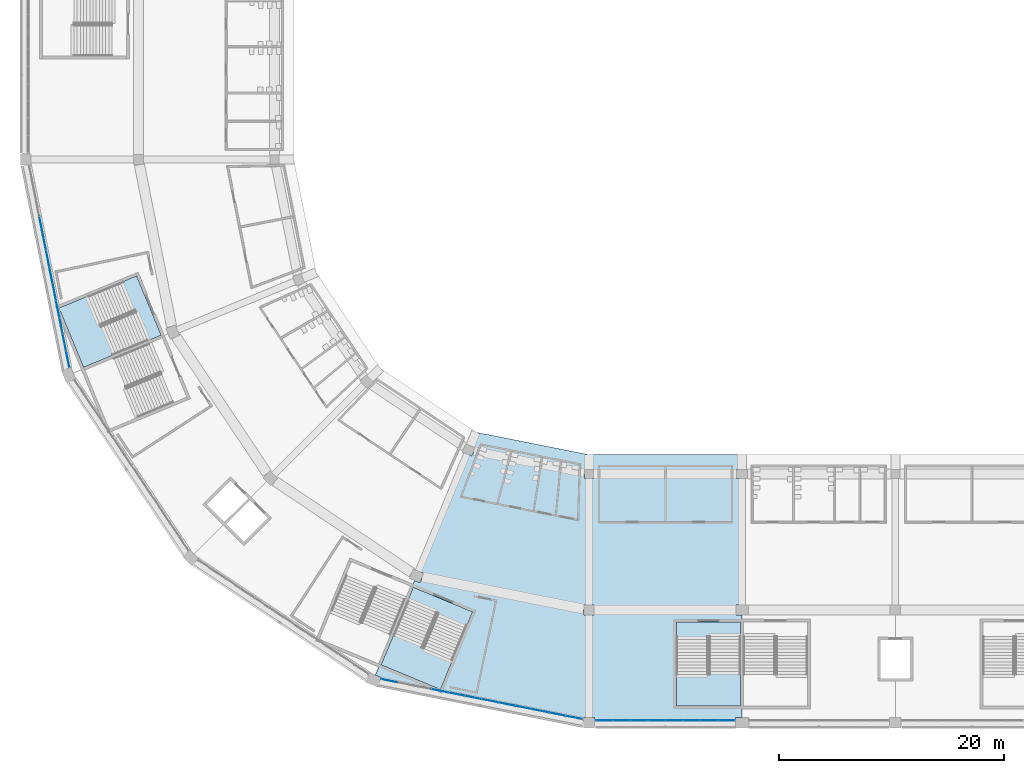
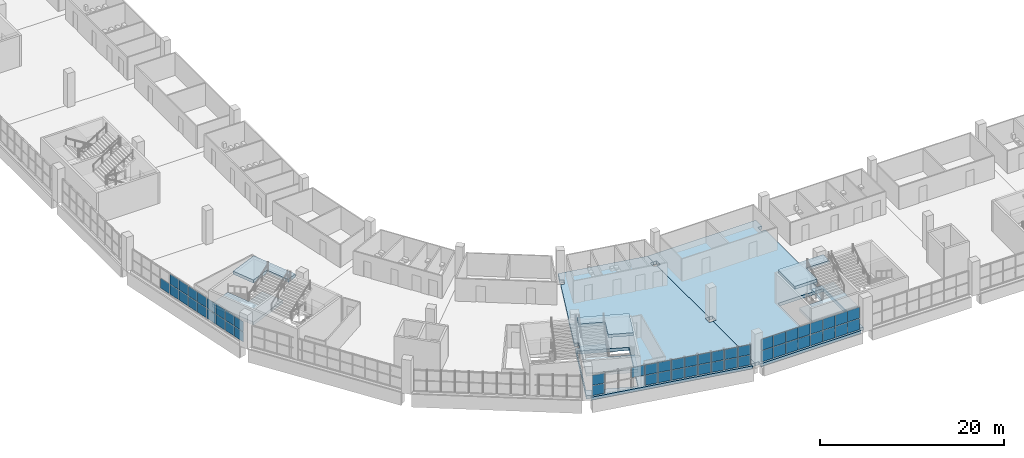
# One storey, part 57 of 199: 52 plates, 8 slabs, 6 elements without a shape of their own.
"""IFC4 building model written with IfcOpenShell, lengths in metres."""

import ifcopenshell
import ifcopenshell.guid

model = None  # the IFC model being written
_history = None  # IfcOwnerHistory: only IFC2X3 demands one
_inside = {}  # id of a spatial element -> (the spatial element, [elements in it])
_under = {}  # id of a project, library or spatial element -> (it, [spatial elements below it])
_declared = {}  # id of a project -> (the project, [libraries it declares])
_typed = {}  # id of a type object -> (the type object, [elements of that type])
_made_of = {}  # id of a material, layer set ... -> (it, [elements and type objects made of it])


def new_model(schema):
    """Start an empty IFC model of exactly this schema.

    Asked for "IFC4X3", IfcOpenShell would pick the latest addendum, in which some entities
    have other attributes; the version numbers below select the first issue.
    IFC2X3 requires an IfcOwnerHistory on every rooted entity: one is made here for all.
    """
    global model, _history
    if schema == "IFC4X3":
        model = ifcopenshell.file(schema_version=(4, 3, 0, 0))
    else:
        model = ifcopenshell.file(schema=schema)
    _inside.clear()
    _under.clear()
    _declared.clear()
    _typed.clear()
    _made_of.clear()
    _history = None
    if model.schema == "IFC2X3":
        org = make("IfcOrganization", Name="unknown")
        user = make(
            "IfcPersonAndOrganization",
            ThePerson=make("IfcPerson", FamilyName="unknown"),
            TheOrganization=org,
        )
        app = make(
            "IfcApplication",
            ApplicationDeveloper=org,
            Version="unknown",
            ApplicationFullName="unknown",
            ApplicationIdentifier="unknown",
        )
        _history = make(
            "IfcOwnerHistory",
            OwningUser=user,
            OwningApplication=app,
            ChangeAction="ADDED",
            CreationDate=0,
        )
    return model


def make(cls, **values):
    """One entity of the class cls with the attributes given. An attribute that is None is left unset."""
    return model.create_entity(
        cls, **{name: value for name, value in values.items() if value is not None}
    )


def rooted(cls, **values):
    """An entity with a GlobalId (a new one), such as an element, a storey or a relation."""
    return make(cls, GlobalId=ifcopenshell.guid.new(), OwnerHistory=_history, **values)


def si_unit(unit_type, name, prefix=None):
    """IfcSIUnit, for example si_unit("LENGTHUNIT", "METRE", prefix="MILLI")."""
    return make("IfcSIUnit", UnitType=unit_type, Prefix=prefix, Name=name)


def assignment(units):
    """IfcUnitAssignment: the units of a project."""
    return None if units is None else make("IfcUnitAssignment", Units=units)


def point(xyz):
    """IfcCartesianPoint."""
    return None if xyz is None else make("IfcCartesianPoint", Coordinates=xyz)


def direction(xyz):
    """IfcDirection."""
    return None if xyz is None else make("IfcDirection", DirectionRatios=xyz)


def frame(location, z_axis=None, x_axis=None):
    """IfcAxis2Placement3D, a coordinate frame: its origin and axes. An axis left out is left unset."""
    return make(
        "IfcAxis2Placement3D",
        Location=point(location),
        Axis=direction(z_axis),
        RefDirection=direction(x_axis),
    )


def frame_2d(location, x_axis=None):
    """IfcAxis2Placement2D, a coordinate frame in the plane: its origin and x axis."""
    return make(
        "IfcAxis2Placement2D", Location=point(location), RefDirection=direction(x_axis)
    )


def origin():
    """The frame at (0, 0, 0) with its axes left unset."""
    return frame((0.0, 0.0, 0.0))


def origin_2d():
    """The frame at (0, 0) in the plane with its x axis left unset."""
    return frame_2d((0.0, 0.0))


def place(relative_to, where):
    """IfcLocalPlacement: puts the frame where relative to a parent placement (None: the world)."""
    return make(
        "IfcLocalPlacement", PlacementRelTo=relative_to, RelativePlacement=where
    )


def context(
    kind, dimensions, precision=None, world=None, true_north=None, identifier=None
):
    """IfcGeometricRepresentationContext, for example the 3D "Model" context."""
    return make(
        "IfcGeometricRepresentationContext",
        ContextIdentifier=identifier,
        ContextType=kind,
        CoordinateSpaceDimension=dimensions,
        Precision=precision,
        WorldCoordinateSystem=world,
        TrueNorth=true_north,
    )


def subcontext(parent, identifier, kind, view, scale=None):
    """IfcGeometricRepresentationSubContext, for example "Body" below "Model"."""
    return make(
        "IfcGeometricRepresentationSubContext",
        ContextIdentifier=identifier,
        ContextType=kind,
        ParentContext=parent,
        TargetScale=scale,
        TargetView=view,
    )


def project(units=None, contexts=None):
    """IfcProject with its units and contexts."""
    return rooted(
        "IfcProject",
        Name="project",
        RepresentationContexts=contexts,
        UnitsInContext=assignment(units),
    )


def spatial(cls, under=None, at=None, **own):
    """A site, building, storey or space (cls), placed at a placement, below another one or the project."""
    s = rooted(cls, ObjectPlacement=at, **own)
    if under is not None:
        _under.setdefault(under.id(), (under, []))[1].append(s)
    return s


def polyline(points):
    """IfcPolyline through the points."""
    return make("IfcPolyline", Points=[point(p) for p in points])


def profile(cls, at=None, kind="AREA", **sizes):
    """A parametric profile (cls). Its sizes go by their IFC names, for example OverallWidth=200.0."""
    return make(cls, ProfileType=kind, Position=at, **sizes)


def rectangle(**sizes):
    """IfcRectangleProfileDef."""
    return profile("IfcRectangleProfileDef", **sizes)


def outline(outer, holes=None, kind="AREA"):
    """IfcArbitraryClosedProfileDef: a profile drawn as a closed curve; with holes, ...WithVoids."""
    if holes is None:
        return make("IfcArbitraryClosedProfileDef", ProfileType=kind, OuterCurve=outer)
    return make(
        "IfcArbitraryProfileDefWithVoids",
        ProfileType=kind,
        OuterCurve=outer,
        InnerCurves=holes,
    )


def extrude(swept, where, along, depth):
    """IfcExtrudedAreaSolid: the profile swept, set in the frame where, extruded along a direction by depth."""
    return make(
        "IfcExtrudedAreaSolid",
        SweptArea=swept,
        Position=where,
        ExtrudedDirection=direction(along),
        Depth=depth,
    )


def shape(context_of_items, identifier, shape_type, items):
    """IfcShapeRepresentation: the items that make up one representation, for example the "Body"."""
    return make(
        "IfcShapeRepresentation",
        ContextOfItems=context_of_items,
        RepresentationIdentifier=identifier,
        RepresentationType=shape_type,
        Items=items,
    )


def material(Name=None, Category=None):
    """IfcMaterial."""
    return make("IfcMaterial", Name=Name, Category=Category)


def layer(
    of_material, thickness, ventilated=None, Name=None, Category=None, Priority=None
):
    """IfcMaterialLayer: one layer of a wall or slab, of a material (None: an air gap)."""
    return make(
        "IfcMaterialLayer",
        Material=of_material,
        LayerThickness=thickness,
        IsVentilated=ventilated,
        Name=Name,
        Category=Category,
        Priority=Priority,
    )


def layer_set(layers, Name=None):
    """IfcMaterialLayerSet."""
    return make("IfcMaterialLayerSet", MaterialLayers=layers, LayerSetName=Name)


def made_of(thing, what):
    """Note that an element or type object is made of a material, layer set ...; save() writes the relation."""
    if what is not None:
        _made_of.setdefault(what.id(), (what, []))[1].append(thing)
    return thing


def type_object(cls, material=None, **own):
    """A type object (cls), such as IfcWallType, which elements share."""
    return made_of(rooted(cls, **own), material)


def element(
    cls,
    number,
    at=None,
    inside=None,
    cuts=None,
    type_object=None,
    material=None,
    context=None,
    identifier="Body",
    shape_type=None,
    held_by="IfcProductDefinitionShape",
    body=None,
    shapes=None,
    **own,
):
    """One element of the class cls, such as IfcWall. Its Tag is "e" and its number.

    at: its placement. inside: the storey or other place that contains it. cuts: it is an
    opening in that element (IfcRelVoidsElement). A single representation is given by context,
    identifier, shape_type and body (its items); several are given by shapes. held_by: the class
    of the entity that holds the representations. save() writes the other relations.
    """
    e = rooted(cls, Tag="e%d" % number, ObjectPlacement=at, **own)
    if body is not None:
        shapes = [shape(context, identifier, shape_type, body)]
    if shapes is not None:
        e.Representation = make(held_by, Representations=shapes)
    if inside is not None:
        _inside.setdefault(inside.id(), (inside, []))[1].append(e)
    if cuts is not None:
        rooted(
            "IfcRelVoidsElement", RelatingBuildingElement=cuts, RelatedOpeningElement=e
        )
    if type_object is not None:
        _typed.setdefault(type_object.id(), (type_object, []))[1].append(e)
    return made_of(e, material)


def aggregate(whole, parts):
    """IfcRelAggregates: a whole, such as a stair, and the parts it consists of."""
    return rooted("IfcRelAggregates", RelatingObject=whole, RelatedObjects=parts)


def save(model, path):
    """Write the relations noted so far, then the file.

    IfcRelAggregates (storeys below a building ...), IfcRelContainedInSpatialStructure (elements
    in a storey), IfcRelDefinesByType, IfcRelAssociatesMaterial and IfcRelDeclares: one each for
    every whole, place, type object, material and project.
    """
    for whole, parts in _under.values():
        aggregate(whole, parts)
    for where, things in _inside.values():
        rooted(
            "IfcRelContainedInSpatialStructure",
            RelatedElements=things,
            RelatingStructure=where,
        )
    for kind, things in _typed.values():
        rooted("IfcRelDefinesByType", RelatedObjects=things, RelatingType=kind)
    for what, things in _made_of.values():
        rooted("IfcRelAssociatesMaterial", RelatedObjects=things, RelatingMaterial=what)
    for by, libraries in _declared.values():
        rooted("IfcRelDeclares", RelatingContext=by, RelatedDefinitions=libraries)
    model.write(path)


model = new_model("IFC4")

# Units and contexts
model_context = context("Model", 3, precision=1e-05, world=origin(), true_north=direction((0.0, 1.0)))
body_context = subcontext(model_context, "Body", "Model", "MODEL_VIEW")
ifc_project = project(units=[si_unit("LENGTHUNIT", "METRE"), si_unit("AREAUNIT", "SQUARE_METRE"), si_unit("VOLUMEUNIT", "CUBIC_METRE"), si_unit("PLANEANGLEUNIT", "RADIAN"), si_unit("MASSUNIT", "GRAM", prefix="KILO")], contexts=[model_context])

# Site, building, storey
site_placement = place(None, origin())
site = spatial("IfcSite", under=ifc_project, at=site_placement, CompositionType="ELEMENT")
building_placement = place(site_placement, origin())
building = spatial("IfcBuilding", under=site, at=building_placement, Name="Ogive Plaza Stadium", CompositionType="ELEMENT")
storey_placement = place(building_placement, frame((0.0, 0.0, 4.5)))
storey = spatial("IfcBuildingStorey", under=building, at=storey_placement, Name="L01", CompositionType="ELEMENT", Elevation=4.5)

# Curtain wall, plates
ifc_material_1 = material(Name="Bronze-anodised aluminium with laminated glass", Category="aluminium")
curtain_wall_type = type_object("IfcCurtainWallType", Name="Lancet curtain wall", PredefinedType="NOTDEFINED", material=ifc_material_1)
curtain_wall_1_placement = place(storey_placement, origin())
curtain_wall_1 = element("IfcCurtainWall", 1, at=curtain_wall_1_placement, inside=storey, type_object=curtain_wall_type, Name="CURTAIN WALL B16 L01", PredefinedType="NOTDEFINED")
ifc_material_2 = material(Name="Laminated glass", Category="glass")
ifc_layer_1 = layer(ifc_material_2, 0.028076171875)
ifc_layer_set_1 = layer_set([ifc_layer_1], Name="Laminated glass panel 28")
plate_type = type_object("IfcPlateType", Name="Laminated glass panel 28", PredefinedType="CURTAIN_PANEL", material=ifc_layer_set_1)
plate_1_placement = place(storey_placement, frame((-21.78759765625, -102.300048828125, 0.0498046875), z_axis=(0.0, 0.0, 1.0), x_axis=(-1.0, 0.0, 0.0)))
plate_1 = element("IfcPlate", 2, at=plate_1_placement, type_object=plate_type, Name="CW-B16-L01 panel 1.1", PredefinedType="CURTAIN_PANEL", context=body_context, shape_type="SweptSolid", body=[
    extrude(rectangle(XDim=1.47509765625, YDim=0.028076171875, at=origin_2d()), origin(), (0.0, 0.0, 1.0), 1.469970703125),
])
plate_2_placement = place(storey_placement, frame((-21.78759765625, -102.300048828125, 1.56982421875), z_axis=(0.0, 0.0, 1.0), x_axis=(-1.0, 0.0, 0.0)))
plate_2 = element("IfcPlate", 3, at=plate_2_placement, type_object=plate_type, Name="CW-B16-L01 panel 1.2", PredefinedType="CURTAIN_PANEL", context=body_context, shape_type="SweptSolid", body=[
    extrude(rectangle(XDim=1.47509765625, YDim=0.028076171875, at=origin_2d()), origin(), (0.0, 0.0, 1.0), 1.469970703125),
])
plate_3_placement = place(storey_placement, frame((-23.324951171875, -102.300048828125, 0.0498046875), z_axis=(0.0, 0.0, 1.0), x_axis=(-1.0, 0.0, 0.0)))
plate_3 = element("IfcPlate", 4, at=plate_3_placement, type_object=plate_type, Name="CW-B16-L01 panel 2.1", PredefinedType="CURTAIN_PANEL", context=body_context, shape_type="SweptSolid", body=[
    extrude(rectangle(XDim=1.5, YDim=0.028076171875, at=origin_2d()), origin(), (0.0, 0.0, 1.0), 1.469970703125),
])
plate_4_placement = place(storey_placement, frame((-23.324951171875, -102.300048828125, 1.56982421875), z_axis=(0.0, 0.0, 1.0), x_axis=(-1.0, 0.0, 0.0)))
plate_4 = element("IfcPlate", 5, at=plate_4_placement, type_object=plate_type, Name="CW-B16-L01 panel 2.2", PredefinedType="CURTAIN_PANEL", context=body_context, shape_type="SweptSolid", body=[
    extrude(rectangle(XDim=1.5, YDim=0.028076171875, at=origin_2d()), origin(), (0.0, 0.0, 1.0), 1.469970703125),
])
plate_5_placement = place(storey_placement, frame((-24.875, -102.300048828125, 0.0498046875), z_axis=(0.0, 0.0, 1.0), x_axis=(-1.0, 0.0, 0.0)))
plate_5 = element("IfcPlate", 6, at=plate_5_placement, type_object=plate_type, Name="CW-B16-L01 panel 3.1", PredefinedType="CURTAIN_PANEL", context=body_context, shape_type="SweptSolid", body=[
    extrude(rectangle(XDim=1.5, YDim=0.028076171875, at=origin_2d()), origin(), (0.0, 0.0, 1.0), 1.469970703125),
])
plate_6_placement = place(storey_placement, frame((-24.875, -102.300048828125, 1.56982421875), z_axis=(0.0, 0.0, 1.0), x_axis=(-1.0, 0.0, 0.0)))
plate_6 = element("IfcPlate", 7, at=plate_6_placement, type_object=plate_type, Name="CW-B16-L01 panel 3.2", PredefinedType="CURTAIN_PANEL", context=body_context, shape_type="SweptSolid", body=[
    extrude(rectangle(XDim=1.5, YDim=0.028076171875, at=origin_2d()), origin(), (0.0, 0.0, 1.0), 1.469970703125),
])
plate_7_placement = place(storey_placement, frame((-26.425048828125, -102.300048828125, 0.0498046875), z_axis=(0.0, 0.0, 1.0), x_axis=(-1.0, 0.0, 0.0)))
plate_7 = element("IfcPlate", 8, at=plate_7_placement, type_object=plate_type, Name="CW-B16-L01 panel 4.1", PredefinedType="CURTAIN_PANEL", context=body_context, shape_type="SweptSolid", body=[
    extrude(rectangle(XDim=1.5, YDim=0.028076171875, at=origin_2d()), origin(), (0.0, 0.0, 1.0), 1.469970703125),
])
plate_8_placement = place(storey_placement, frame((-26.425048828125, -102.300048828125, 1.56982421875), z_axis=(0.0, 0.0, 1.0), x_axis=(-1.0, 0.0, 0.0)))
plate_8 = element("IfcPlate", 9, at=plate_8_placement, type_object=plate_type, Name="CW-B16-L01 panel 4.2", PredefinedType="CURTAIN_PANEL", context=body_context, shape_type="SweptSolid", body=[
    extrude(rectangle(XDim=1.5, YDim=0.028076171875, at=origin_2d()), origin(), (0.0, 0.0, 1.0), 1.469970703125),
])
plate_9_placement = place(storey_placement, frame((-27.97509765625, -102.300048828125, 0.0498046875), z_axis=(0.0, 0.0, 1.0), x_axis=(-1.0, 0.0, 0.0)))
plate_9 = element("IfcPlate", 10, at=plate_9_placement, type_object=plate_type, Name="CW-B16-L01 panel 5.1", PredefinedType="CURTAIN_PANEL", context=body_context, shape_type="SweptSolid", body=[
    extrude(rectangle(XDim=1.5, YDim=0.028076171875, at=origin_2d()), origin(), (0.0, 0.0, 1.0), 1.469970703125),
])
plate_10_placement = place(storey_placement, frame((-27.97509765625, -102.300048828125, 1.56982421875), z_axis=(0.0, 0.0, 1.0), x_axis=(-1.0, 0.0, 0.0)))
plate_10 = element("IfcPlate", 11, at=plate_10_placement, type_object=plate_type, Name="CW-B16-L01 panel 5.2", PredefinedType="CURTAIN_PANEL", context=body_context, shape_type="SweptSolid", body=[
    extrude(rectangle(XDim=1.5, YDim=0.028076171875, at=origin_2d()), origin(), (0.0, 0.0, 1.0), 1.469970703125),
])
plate_11_placement = place(storey_placement, frame((-29.52490234375, -102.300048828125, 0.0498046875), z_axis=(0.0, 0.0, 1.0), x_axis=(-1.0, 0.0, 0.0)))
plate_11 = element("IfcPlate", 12, at=plate_11_placement, type_object=plate_type, Name="CW-B16-L01 panel 6.1", PredefinedType="CURTAIN_PANEL", context=body_context, shape_type="SweptSolid", body=[
    extrude(rectangle(XDim=1.5, YDim=0.028076171875, at=origin_2d()), origin(), (0.0, 0.0, 1.0), 1.469970703125),
])
plate_12_placement = place(storey_placement, frame((-29.52490234375, -102.300048828125, 1.56982421875), z_axis=(0.0, 0.0, 1.0), x_axis=(-1.0, 0.0, 0.0)))
plate_12 = element("IfcPlate", 13, at=plate_12_placement, type_object=plate_type, Name="CW-B16-L01 panel 6.2", PredefinedType="CURTAIN_PANEL", context=body_context, shape_type="SweptSolid", body=[
    extrude(rectangle(XDim=1.5, YDim=0.028076171875, at=origin_2d()), origin(), (0.0, 0.0, 1.0), 1.469970703125),
])
plate_13_placement = place(storey_placement, frame((-31.074951171875, -102.300048828125, 0.0498046875), z_axis=(0.0, 0.0, 1.0), x_axis=(-1.0, 0.0, 0.0)))
plate_13 = element("IfcPlate", 14, at=plate_13_placement, type_object=plate_type, Name="CW-B16-L01 panel 7.1", PredefinedType="CURTAIN_PANEL", context=body_context, shape_type="SweptSolid", body=[
    extrude(rectangle(XDim=1.5, YDim=0.028076171875, at=origin_2d()), origin(), (0.0, 0.0, 1.0), 1.469970703125),
])
plate_14_placement = place(storey_placement, frame((-31.074951171875, -102.300048828125, 1.56982421875), z_axis=(0.0, 0.0, 1.0), x_axis=(-1.0, 0.0, 0.0)))
plate_14 = element("IfcPlate", 15, at=plate_14_placement, type_object=plate_type, Name="CW-B16-L01 panel 7.2", PredefinedType="CURTAIN_PANEL", context=body_context, shape_type="SweptSolid", body=[
    extrude(rectangle(XDim=1.5, YDim=0.028076171875, at=origin_2d()), origin(), (0.0, 0.0, 1.0), 1.469970703125),
])
plate_15_placement = place(storey_placement, frame((-32.612548828125, -102.300048828125, 0.0498046875), z_axis=(0.0, 0.0, 1.0), x_axis=(-1.0, 0.0, 0.0)))
plate_15 = element("IfcPlate", 16, at=plate_15_placement, type_object=plate_type, Name="CW-B16-L01 panel 8.1", PredefinedType="CURTAIN_PANEL", context=body_context, shape_type="SweptSolid", body=[
    extrude(rectangle(XDim=1.47509765625, YDim=0.028076171875, at=origin_2d()), origin(), (0.0, 0.0, 1.0), 1.469970703125),
])
plate_16_placement = place(storey_placement, frame((-32.612548828125, -102.300048828125, 1.56982421875), z_axis=(0.0, 0.0, 1.0), x_axis=(-1.0, 0.0, 0.0)))
plate_16 = element("IfcPlate", 17, at=plate_16_placement, type_object=plate_type, Name="CW-B16-L01 panel 8.2", PredefinedType="CURTAIN_PANEL", context=body_context, shape_type="SweptSolid", body=[
    extrude(rectangle(XDim=1.47509765625, YDim=0.028076171875, at=origin_2d()), origin(), (0.0, 0.0, 1.0), 1.469970703125),
])
aggregate(curtain_wall_1, [plate_1, plate_2, plate_3, plate_4, plate_5, plate_6, plate_7, plate_8, plate_9, plate_10, plate_11, plate_12, plate_13, plate_14, plate_15, plate_16])

curtain_wall_2_placement = place(storey_placement, origin())
curtain_wall_2 = element("IfcCurtainWall", 18, at=curtain_wall_2_placement, inside=storey, type_object=curtain_wall_type, Name="CURTAIN WALL B17 L01", PredefinedType="NOTDEFINED")
plate_17_placement = place(storey_placement, frame((-35.328369140625, -102.031982421875, 0.0498046875), z_axis=(0.0, 0.0, 1.0), x_axis=(-0.9807852804, 0.195090322033, 0.0)))
plate_17 = element("IfcPlate", 19, at=plate_17_placement, type_object=plate_type, Name="CW-B17-L01 panel 1.1", PredefinedType="CURTAIN_PANEL", context=body_context, shape_type="SweptSolid", body=[
    extrude(rectangle(XDim=1.447265625, YDim=0.028076171875, at=origin_2d()), origin(), (0.0, 0.0, 1.0), 1.320068359375),
])
plate_18_placement = place(storey_placement, frame((-35.328369140625, -102.031982421875, 1.419921875), z_axis=(0.0, 0.0, 1.0), x_axis=(-0.9807852804, 0.195090322033, 0.0)))
plate_18 = element("IfcPlate", 20, at=plate_18_placement, type_object=plate_type, Name="CW-B17-L01 panel 1.2", PredefinedType="CURTAIN_PANEL", context=body_context, shape_type="SweptSolid", body=[
    extrude(rectangle(XDim=1.447265625, YDim=0.028076171875, at=origin_2d()), origin(), (0.0, 0.0, 1.0), 1.320068359375),
])
plate_19_placement = place(storey_placement, frame((-36.80908203125, -101.7373046875, 0.0498046875), z_axis=(0.0, 0.0, 1.0), x_axis=(-0.9807852804, 0.195090322033, 0.0)))
plate_19 = element("IfcPlate", 21, at=plate_19_placement, type_object=plate_type, Name="CW-B17-L01 panel 2.1", PredefinedType="CURTAIN_PANEL", context=body_context, shape_type="SweptSolid", body=[
    extrude(rectangle(XDim=1.472412109375, YDim=0.028076171875, at=origin_2d()), origin(), (0.0, 0.0, 1.0), 1.320068359375),
])
plate_20_placement = place(storey_placement, frame((-36.80908203125, -101.7373046875, 1.419921875), z_axis=(0.0, 0.0, 1.0), x_axis=(-0.9807852804, 0.195090322033, 0.0)))
plate_20 = element("IfcPlate", 22, at=plate_20_placement, type_object=plate_type, Name="CW-B17-L01 panel 2.2", PredefinedType="CURTAIN_PANEL", context=body_context, shape_type="SweptSolid", body=[
    extrude(rectangle(XDim=1.472412109375, YDim=0.028076171875, at=origin_2d()), origin(), (0.0, 0.0, 1.0), 1.320068359375),
])
plate_21_placement = place(storey_placement, frame((-38.30224609375, -101.4404296875, 0.0498046875), z_axis=(0.0, 0.0, 1.0), x_axis=(-0.9807852804, 0.195090322033, 0.0)))
plate_21 = element("IfcPlate", 23, at=plate_21_placement, type_object=plate_type, Name="CW-B17-L01 panel 3.1", PredefinedType="CURTAIN_PANEL", context=body_context, shape_type="SweptSolid", body=[
    extrude(rectangle(XDim=1.472412109375, YDim=0.028076171875, at=origin_2d()), origin(), (0.0, 0.0, 1.0), 1.320068359375),
])
plate_22_placement = place(storey_placement, frame((-38.30224609375, -101.4404296875, 1.419921875), z_axis=(0.0, 0.0, 1.0), x_axis=(-0.9807852804, 0.195090322033, 0.0)))
plate_22 = element("IfcPlate", 24, at=plate_22_placement, type_object=plate_type, Name="CW-B17-L01 panel 3.2", PredefinedType="CURTAIN_PANEL", context=body_context, shape_type="SweptSolid", body=[
    extrude(rectangle(XDim=1.472412109375, YDim=0.028076171875, at=origin_2d()), origin(), (0.0, 0.0, 1.0), 1.320068359375),
])
plate_23_placement = place(storey_placement, frame((-39.79541015625, -101.143310546875, 0.0498046875), z_axis=(0.0, 0.0, 1.0), x_axis=(-0.9807852804, 0.195090322033, 0.0)))
plate_23 = element("IfcPlate", 25, at=plate_23_placement, type_object=plate_type, Name="CW-B17-L01 panel 4.1", PredefinedType="CURTAIN_PANEL", context=body_context, shape_type="SweptSolid", body=[
    extrude(rectangle(XDim=1.472412109375, YDim=0.028076171875, at=origin_2d()), origin(), (0.0, 0.0, 1.0), 1.320068359375),
])
plate_24_placement = place(storey_placement, frame((-39.79541015625, -101.143310546875, 1.419921875), z_axis=(0.0, 0.0, 1.0), x_axis=(-0.9807852804, 0.195090322033, 0.0)))
plate_24 = element("IfcPlate", 26, at=plate_24_placement, type_object=plate_type, Name="CW-B17-L01 panel 4.2", PredefinedType="CURTAIN_PANEL", context=body_context, shape_type="SweptSolid", body=[
    extrude(rectangle(XDim=1.472412109375, YDim=0.028076171875, at=origin_2d()), origin(), (0.0, 0.0, 1.0), 1.320068359375),
])
plate_25_placement = place(storey_placement, frame((-41.288330078125, -100.846435546875, 0.0498046875), z_axis=(0.0, 0.0, 1.0), x_axis=(-0.9807852804, 0.195090322033, 0.0)))
plate_25 = element("IfcPlate", 27, at=plate_25_placement, type_object=plate_type, Name="CW-B17-L01 panel 5.1", PredefinedType="CURTAIN_PANEL", context=body_context, shape_type="SweptSolid", body=[
    extrude(rectangle(XDim=1.472412109375, YDim=0.028076171875, at=origin_2d()), origin(), (0.0, 0.0, 1.0), 1.320068359375),
])
plate_26_placement = place(storey_placement, frame((-41.288330078125, -100.846435546875, 1.419921875), z_axis=(0.0, 0.0, 1.0), x_axis=(-0.9807852804, 0.195090322033, 0.0)))
plate_26 = element("IfcPlate", 28, at=plate_26_placement, type_object=plate_type, Name="CW-B17-L01 panel 5.2", PredefinedType="CURTAIN_PANEL", context=body_context, shape_type="SweptSolid", body=[
    extrude(rectangle(XDim=1.472412109375, YDim=0.028076171875, at=origin_2d()), origin(), (0.0, 0.0, 1.0), 1.320068359375),
])
plate_27_placement = place(storey_placement, frame((-42.781494140625, -100.54931640625, 0.0498046875), z_axis=(0.0, 0.0, 1.0), x_axis=(-0.9807852804, 0.195090322033, 0.0)))
plate_27 = element("IfcPlate", 29, at=plate_27_placement, type_object=plate_type, Name="CW-B17-L01 panel 6.1", PredefinedType="CURTAIN_PANEL", context=body_context, shape_type="SweptSolid", body=[
    extrude(rectangle(XDim=1.472412109375, YDim=0.028076171875, at=origin_2d()), origin(), (0.0, 0.0, 1.0), 1.320068359375),
])
plate_28_placement = place(storey_placement, frame((-42.781494140625, -100.54931640625, 1.419921875), z_axis=(0.0, 0.0, 1.0), x_axis=(-0.9807852804, 0.195090322033, 0.0)))
plate_28 = element("IfcPlate", 30, at=plate_28_placement, type_object=plate_type, Name="CW-B17-L01 panel 6.2", PredefinedType="CURTAIN_PANEL", context=body_context, shape_type="SweptSolid", body=[
    extrude(rectangle(XDim=1.472412109375, YDim=0.028076171875, at=origin_2d()), origin(), (0.0, 0.0, 1.0), 1.320068359375),
])
plate_29_placement = place(storey_placement, frame((-44.274658203125, -100.25244140625, 0.0498046875), z_axis=(0.0, 0.0, 1.0), x_axis=(-0.9807852804, 0.195090322033, 0.0)))
plate_29 = element("IfcPlate", 31, at=plate_29_placement, type_object=plate_type, Name="CW-B17-L01 panel 7.1", PredefinedType="CURTAIN_PANEL", context=body_context, shape_type="SweptSolid", body=[
    extrude(rectangle(XDim=1.472412109375, YDim=0.028076171875, at=origin_2d()), origin(), (0.0, 0.0, 1.0), 1.320068359375),
])
plate_30_placement = place(storey_placement, frame((-44.274658203125, -100.25244140625, 1.419921875), z_axis=(0.0, 0.0, 1.0), x_axis=(-0.9807852804, 0.195090322033, 0.0)))
plate_30 = element("IfcPlate", 32, at=plate_30_placement, type_object=plate_type, Name="CW-B17-L01 panel 7.2", PredefinedType="CURTAIN_PANEL", context=body_context, shape_type="SweptSolid", body=[
    extrude(rectangle(XDim=1.472412109375, YDim=0.028076171875, at=origin_2d()), origin(), (0.0, 0.0, 1.0), 1.320068359375),
])
plate_31_placement = place(storey_placement, frame((-45.767822265625, -99.955322265625, 0.0498046875), z_axis=(0.0, 0.0, 1.0), x_axis=(-0.9807852804, 0.195090322033, 0.0)))
plate_31 = element("IfcPlate", 33, at=plate_31_placement, type_object=plate_type, Name="CW-B17-L01 panel 8.1", PredefinedType="CURTAIN_PANEL", context=body_context, shape_type="SweptSolid", body=[
    extrude(rectangle(XDim=1.472412109375, YDim=0.028076171875, at=origin_2d()), origin(), (0.0, 0.0, 1.0), 1.320068359375),
])
plate_32_placement = place(storey_placement, frame((-45.767822265625, -99.955322265625, 1.419921875), z_axis=(0.0, 0.0, 1.0), x_axis=(-0.9807852804, 0.195090322033, 0.0)))
plate_32 = element("IfcPlate", 34, at=plate_32_placement, type_object=plate_type, Name="CW-B17-L01 panel 8.2", PredefinedType="CURTAIN_PANEL", context=body_context, shape_type="SweptSolid", body=[
    extrude(rectangle(XDim=1.472412109375, YDim=0.028076171875, at=origin_2d()), origin(), (0.0, 0.0, 1.0), 1.320068359375),
])
plate_33_placement = place(storey_placement, frame((-47.2607421875, -99.658447265625, 1.419921875), z_axis=(0.0, 0.0, 1.0), x_axis=(-0.9807852804, 0.195090322033, 0.0)))
plate_33 = element("IfcPlate", 35, at=plate_33_placement, type_object=plate_type, Name="CW-B17-L01 panel 9.2", PredefinedType="CURTAIN_PANEL", context=body_context, shape_type="SweptSolid", body=[
    extrude(rectangle(XDim=1.472412109375, YDim=0.028076171875, at=origin_2d()), origin(), (0.0, 0.0, 1.0), 1.320068359375),
])
plate_34_placement = place(storey_placement, frame((-51.727783203125, -98.769775390625, 0.0498046875), z_axis=(0.0, 0.0, 1.0), x_axis=(-0.9807852804, 0.195090322033, 0.0)))
plate_34 = element("IfcPlate", 36, at=plate_34_placement, type_object=plate_type, Name="CW-B17-L01 panel 12.1", PredefinedType="CURTAIN_PANEL", context=body_context, shape_type="SweptSolid", body=[
    extrude(rectangle(XDim=1.447265625, YDim=0.028076171875, at=origin_2d()), origin(), (0.0, 0.0, 1.0), 1.320068359375),
])
plate_35_placement = place(storey_placement, frame((-51.727783203125, -98.769775390625, 1.419921875), z_axis=(0.0, 0.0, 1.0), x_axis=(-0.9807852804, 0.195090322033, 0.0)))
plate_35 = element("IfcPlate", 37, at=plate_35_placement, type_object=plate_type, Name="CW-B17-L01 panel 12.2", PredefinedType="CURTAIN_PANEL", context=body_context, shape_type="SweptSolid", body=[
    extrude(rectangle(XDim=1.447265625, YDim=0.028076171875, at=origin_2d()), origin(), (0.0, 0.0, 1.0), 1.320068359375),
])
aggregate(curtain_wall_2, [plate_17, plate_18, plate_19, plate_20, plate_21, plate_22, plate_23, plate_24, plate_25, plate_26, plate_27, plate_28, plate_29, plate_30, plate_31, plate_32, plate_33, plate_34, plate_35])

curtain_wall_3_placement = place(storey_placement, origin())
curtain_wall_3 = element("IfcCurtainWall", 38, at=curtain_wall_3_placement, inside=storey, type_object=curtain_wall_type, Name="CURTAIN WALL B20 L01", PredefinedType="NOTDEFINED")
plate_36_placement = place(storey_placement, frame((-80.269775390625, -70.227783203125, 0.0498046875), z_axis=(0.0, 0.0, 1.0), x_axis=(-0.195090322033, 0.9807852804, 0.0)))
plate_36 = element("IfcPlate", 39, at=plate_36_placement, type_object=plate_type, Name="CW-B20-L01 panel 1.1", PredefinedType="CURTAIN_PANEL", context=body_context, shape_type="SweptSolid", body=[
    extrude(rectangle(XDim=1.447265625, YDim=0.028076171875, at=origin_2d()), origin(), (0.0, 0.0, 1.0), 1.320068359375),
])
plate_37_placement = place(storey_placement, frame((-80.269775390625, -70.227783203125, 1.419921875), z_axis=(0.0, 0.0, 1.0), x_axis=(-0.195090322033, 0.9807852804, 0.0)))
plate_37 = element("IfcPlate", 40, at=plate_37_placement, type_object=plate_type, Name="CW-B20-L01 panel 1.2", PredefinedType="CURTAIN_PANEL", context=body_context, shape_type="SweptSolid", body=[
    extrude(rectangle(XDim=1.447265625, YDim=0.028076171875, at=origin_2d()), origin(), (0.0, 0.0, 1.0), 1.320068359375),
])
plate_38_placement = place(storey_placement, frame((-80.564453125, -68.7470703125, 0.0498046875), z_axis=(0.0, 0.0, 1.0), x_axis=(-0.195090322033, 0.9807852804, 0.0)))
plate_38 = element("IfcPlate", 41, at=plate_38_placement, type_object=plate_type, Name="CW-B20-L01 panel 2.1", PredefinedType="CURTAIN_PANEL", context=body_context, shape_type="SweptSolid", body=[
    extrude(rectangle(XDim=1.472412109375, YDim=0.028076171875, at=origin_2d()), origin(), (0.0, 0.0, 1.0), 1.320068359375),
])
plate_39_placement = place(storey_placement, frame((-80.564453125, -68.7470703125, 1.419921875), z_axis=(0.0, 0.0, 1.0), x_axis=(-0.195090322033, 0.9807852804, 0.0)))
plate_39 = element("IfcPlate", 42, at=plate_39_placement, type_object=plate_type, Name="CW-B20-L01 panel 2.2", PredefinedType="CURTAIN_PANEL", context=body_context, shape_type="SweptSolid", body=[
    extrude(rectangle(XDim=1.472412109375, YDim=0.028076171875, at=origin_2d()), origin(), (0.0, 0.0, 1.0), 1.320068359375),
])
plate_40_placement = place(storey_placement, frame((-80.861328125, -67.25390625, 0.0498046875), z_axis=(0.0, 0.0, 1.0), x_axis=(-0.195090322033, 0.9807852804, 0.0)))
plate_40 = element("IfcPlate", 43, at=plate_40_placement, type_object=plate_type, Name="CW-B20-L01 panel 3.1", PredefinedType="CURTAIN_PANEL", context=body_context, shape_type="SweptSolid", body=[
    extrude(rectangle(XDim=1.472412109375, YDim=0.028076171875, at=origin_2d()), origin(), (0.0, 0.0, 1.0), 1.320068359375),
])
plate_41_placement = place(storey_placement, frame((-80.861328125, -67.25390625, 1.419921875), z_axis=(0.0, 0.0, 1.0), x_axis=(-0.195090322033, 0.9807852804, 0.0)))
plate_41 = element("IfcPlate", 44, at=plate_41_placement, type_object=plate_type, Name="CW-B20-L01 panel 3.2", PredefinedType="CURTAIN_PANEL", context=body_context, shape_type="SweptSolid", body=[
    extrude(rectangle(XDim=1.472412109375, YDim=0.028076171875, at=origin_2d()), origin(), (0.0, 0.0, 1.0), 1.320068359375),
])
plate_42_placement = place(storey_placement, frame((-81.158447265625, -65.7607421875, 0.0498046875), z_axis=(0.0, 0.0, 1.0), x_axis=(-0.195090322033, 0.9807852804, 0.0)))
plate_42 = element("IfcPlate", 45, at=plate_42_placement, type_object=plate_type, Name="CW-B20-L01 panel 4.1", PredefinedType="CURTAIN_PANEL", context=body_context, shape_type="SweptSolid", body=[
    extrude(rectangle(XDim=1.472412109375, YDim=0.028076171875, at=origin_2d()), origin(), (0.0, 0.0, 1.0), 1.320068359375),
])
plate_43_placement = place(storey_placement, frame((-81.158447265625, -65.7607421875, 1.419921875), z_axis=(0.0, 0.0, 1.0), x_axis=(-0.195090322033, 0.9807852804, 0.0)))
plate_43 = element("IfcPlate", 46, at=plate_43_placement, type_object=plate_type, Name="CW-B20-L01 panel 4.2", PredefinedType="CURTAIN_PANEL", context=body_context, shape_type="SweptSolid", body=[
    extrude(rectangle(XDim=1.472412109375, YDim=0.028076171875, at=origin_2d()), origin(), (0.0, 0.0, 1.0), 1.320068359375),
])
plate_44_placement = place(storey_placement, frame((-81.455322265625, -64.267822265625, 0.0498046875), z_axis=(0.0, 0.0, 1.0), x_axis=(-0.195090322033, 0.9807852804, 0.0)))
plate_44 = element("IfcPlate", 47, at=plate_44_placement, type_object=plate_type, Name="CW-B20-L01 panel 5.1", PredefinedType="CURTAIN_PANEL", context=body_context, shape_type="SweptSolid", body=[
    extrude(rectangle(XDim=1.472412109375, YDim=0.028076171875, at=origin_2d()), origin(), (0.0, 0.0, 1.0), 1.320068359375),
])
plate_45_placement = place(storey_placement, frame((-81.455322265625, -64.267822265625, 1.419921875), z_axis=(0.0, 0.0, 1.0), x_axis=(-0.195090322033, 0.9807852804, 0.0)))
plate_45 = element("IfcPlate", 48, at=plate_45_placement, type_object=plate_type, Name="CW-B20-L01 panel 5.2", PredefinedType="CURTAIN_PANEL", context=body_context, shape_type="SweptSolid", body=[
    extrude(rectangle(XDim=1.472412109375, YDim=0.028076171875, at=origin_2d()), origin(), (0.0, 0.0, 1.0), 1.320068359375),
])
plate_46_placement = place(storey_placement, frame((-81.75244140625, -62.774658203125, 0.0498046875), z_axis=(0.0, 0.0, 1.0), x_axis=(-0.195090322033, 0.9807852804, 0.0)))
plate_46 = element("IfcPlate", 49, at=plate_46_placement, type_object=plate_type, Name="CW-B20-L01 panel 6.1", PredefinedType="CURTAIN_PANEL", context=body_context, shape_type="SweptSolid", body=[
    extrude(rectangle(XDim=1.472412109375, YDim=0.028076171875, at=origin_2d()), origin(), (0.0, 0.0, 1.0), 1.320068359375),
])
plate_47_placement = place(storey_placement, frame((-81.75244140625, -62.774658203125, 1.419921875), z_axis=(0.0, 0.0, 1.0), x_axis=(-0.195090322033, 0.9807852804, 0.0)))
plate_47 = element("IfcPlate", 50, at=plate_47_placement, type_object=plate_type, Name="CW-B20-L01 panel 6.2", PredefinedType="CURTAIN_PANEL", context=body_context, shape_type="SweptSolid", body=[
    extrude(rectangle(XDim=1.472412109375, YDim=0.028076171875, at=origin_2d()), origin(), (0.0, 0.0, 1.0), 1.320068359375),
])
plate_48_placement = place(storey_placement, frame((-82.04931640625, -61.281494140625, 0.0498046875), z_axis=(0.0, 0.0, 1.0), x_axis=(-0.195090322033, 0.9807852804, 0.0)))
plate_48 = element("IfcPlate", 51, at=plate_48_placement, type_object=plate_type, Name="CW-B20-L01 panel 7.1", PredefinedType="CURTAIN_PANEL", context=body_context, shape_type="SweptSolid", body=[
    extrude(rectangle(XDim=1.472412109375, YDim=0.028076171875, at=origin_2d()), origin(), (0.0, 0.0, 1.0), 1.320068359375),
])
plate_49_placement = place(storey_placement, frame((-82.04931640625, -61.281494140625, 1.419921875), z_axis=(0.0, 0.0, 1.0), x_axis=(-0.195090322033, 0.9807852804, 0.0)))
plate_49 = element("IfcPlate", 52, at=plate_49_placement, type_object=plate_type, Name="CW-B20-L01 panel 7.2", PredefinedType="CURTAIN_PANEL", context=body_context, shape_type="SweptSolid", body=[
    extrude(rectangle(XDim=1.472412109375, YDim=0.028076171875, at=origin_2d()), origin(), (0.0, 0.0, 1.0), 1.320068359375),
])
plate_50_placement = place(storey_placement, frame((-82.346435546875, -59.788330078125, 0.0498046875), z_axis=(0.0, 0.0, 1.0), x_axis=(-0.195090322033, 0.9807852804, 0.0)))
plate_50 = element("IfcPlate", 53, at=plate_50_placement, type_object=plate_type, Name="CW-B20-L01 panel 8.1", PredefinedType="CURTAIN_PANEL", context=body_context, shape_type="SweptSolid", body=[
    extrude(rectangle(XDim=1.472412109375, YDim=0.028076171875, at=origin_2d()), origin(), (0.0, 0.0, 1.0), 1.320068359375),
])
plate_51_placement = place(storey_placement, frame((-82.346435546875, -59.788330078125, 1.419921875), z_axis=(0.0, 0.0, 1.0), x_axis=(-0.195090322033, 0.9807852804, 0.0)))
plate_51 = element("IfcPlate", 54, at=plate_51_placement, type_object=plate_type, Name="CW-B20-L01 panel 8.2", PredefinedType="CURTAIN_PANEL", context=body_context, shape_type="SweptSolid", body=[
    extrude(rectangle(XDim=1.472412109375, YDim=0.028076171875, at=origin_2d()), origin(), (0.0, 0.0, 1.0), 1.320068359375),
])
plate_52_placement = place(storey_placement, frame((-82.643310546875, -58.29541015625, 0.0498046875), z_axis=(0.0, 0.0, 1.0), x_axis=(-0.195090322033, 0.9807852804, 0.0)))
plate_52 = element("IfcPlate", 55, at=plate_52_placement, type_object=plate_type, Name="CW-B20-L01 panel 9.1", PredefinedType="CURTAIN_PANEL", context=body_context, shape_type="SweptSolid", body=[
    extrude(rectangle(XDim=1.472412109375, YDim=0.028076171875, at=origin_2d()), origin(), (0.0, 0.0, 1.0), 1.320068359375),
])
aggregate(curtain_wall_3, [plate_36, plate_37, plate_38, plate_39, plate_40, plate_41, plate_42, plate_43, plate_44, plate_45, plate_46, plate_47, plate_48, plate_49, plate_50, plate_51, plate_52])

# Slabs
ifc_material_3 = material(Name="Concrete C40/50", Category="concrete")
ifc_layer_2 = layer(ifc_material_3, 0.409912109375)
ifc_layer_set_2 = layer_set([ifc_layer_2], Name="Concrete C40/50")
slab_type_1 = type_object("IfcSlabType", Name="RC floor slab 410", PredefinedType="FLOOR", material=ifc_layer_set_2)
slab_1_placement = place(storey_placement, frame((0.0, 0.0, -0.409912109375)))
element("IfcSlab", 56, at=slab_1_placement, inside=storey, type_object=slab_type_1, Name="Floor slab L01 B16", PredefinedType="FLOOR", context=body_context, shape_type="SweptSolid", body=[
    extrude(outline(polyline([(-34.0, -80.0), (-33.60009765625, -80.0), (-33.60009765625, -80.800048828125), (-34.0, -80.800048828125), (-34.0, -92.050048828125), (-33.550048828125, -92.050048828125), (-33.550048828125, -92.949951171875), (-34.0, -92.949951171875), (-34.0, -102.050048828125), (-33.5, -102.050048828125), (-33.5, -102.5), (-21.0, -102.5), (-21.0, -102.050048828125), (-20.39990234375, -102.050048828125), (-20.39990234375, -92.949951171875), (-20.949951171875, -92.949951171875), (-20.949951171875, -92.050048828125), (-20.39990234375, -92.050048828125), (-20.39990234375, -80.800048828125), (-20.89990234375, -80.800048828125), (-20.89990234375, -80.0), (-20.39990234375, -80.0), (-20.39990234375, -78.699951171875), (-34.0, -78.699951171875), (-34.0, -80.0)]), holes=[polyline([(-20.52490234375, -93.550048828125), (-26.22509765625, -93.550048828125), (-26.22509765625, -101.010009765625), (-20.52490234375, -101.010009765625), (-20.52490234375, -93.550048828125)])]), origin(), (0.0, 0.0, 1.0), 0.409912109375),
])
slab_2_placement = place(storey_placement, frame((0.0, 0.0, -0.409912109375)))
element("IfcSlab", 57, at=slab_2_placement, inside=storey, type_object=slab_type_1, Name="Floor slab L01 B17", PredefinedType="FLOOR", context=body_context, shape_type="SweptSolid", body=[
    extrude(outline(polyline([(-44.523681640625, -77.90673828125), (-44.108154296875, -78.078857421875), (-44.414306640625, -78.818115234375), (-44.829833984375, -78.645751953125), (-49.135009765625, -89.03955078125), (-48.673095703125, -89.230712890625), (-49.017578125, -90.062255859375), (-49.4794921875, -89.870849609375), (-52.9619140625, -98.2783203125), (-52.453857421875, -98.48876953125), (-52.584228515625, -98.803466796875), (-34.5, -102.400634765625), (-34.5, -102.050048828125), (-34.0, -102.050048828125), (-34.0, -92.949951171875), (-34.449951171875, -92.949951171875), (-34.449951171875, -92.050048828125), (-34.0, -92.050048828125), (-34.0, -80.800048828125), (-34.39990234375, -80.800048828125), (-34.39990234375, -80.0), (-34.0, -80.0), (-34.0, -78.699951171875), (-44.0263671875, -76.70556640625), (-44.523681640625, -77.90673828125)]), holes=[polyline([(-44.32763671875, -92.654296875), (-49.59375, -90.47314453125), (-52.448486328125, -97.365234375), (-47.182373046875, -99.546630859375), (-44.32763671875, -92.654296875)])]), origin(), (0.0, 0.0, 1.0), 0.409912109375),
])

# Stair, slabs
ifc_material_4 = material(Name="Concrete C40/50", Category="concrete")
stair_type = type_object("IfcStairType", Name="Exit stair", PredefinedType="STRAIGHT_RUN_STAIR", material=ifc_material_4)
stair_1_placement = place(storey_placement, origin())
stair_1 = element("IfcStair", 58, at=stair_1_placement, inside=storey, type_object=stair_type, Name="Exit stair ST16A L01 to L02", PredefinedType="STRAIGHT_RUN_STAIR")
ifc_material_5 = material(Name="Concrete C40/50", Category="concrete")
ifc_layer_3 = layer(ifc_material_5, 0.39990234375)
ifc_layer_set_3 = layer_set([ifc_layer_3], Name="Concrete C40/50")
slab_type_2 = type_object("IfcSlabType", Name="Stair landing", PredefinedType="LANDING", material=ifc_layer_set_3)
slab_3_placement = place(storey_placement, frame((0.0, 0.0, 1.85009765625)))
slab_3 = element("IfcSlab", 59, at=slab_3_placement, type_object=slab_type_2, Name="ST16A landing 1", PredefinedType="LANDING", context=body_context, shape_type="SweptSolid", body=[
    extrude(outline(polyline([(-20.52490234375, -101.010009765625), (-26.22509765625, -101.010009765625), (-26.22509765625, -98.2099609375), (-23.324951171875, -98.2099609375), (-23.324951171875, -95.81005859375), (-20.52490234375, -95.81005859375), (-20.52490234375, -98.2099609375), (-20.52490234375, -101.010009765625)])), origin(), (0.0, 0.0, 1.0), 0.39990234375),
])
slab_4_placement = place(storey_placement, frame((0.0, 0.0, 4.10009765625)))
slab_4 = element("IfcSlab", 60, at=slab_4_placement, type_object=slab_type_2, Name="ST16A landing 2", PredefinedType="LANDING", context=body_context, shape_type="SweptSolid", body=[
    extrude(outline(polyline([(-23.425048828125, -97.25), (-26.22509765625, -97.25), (-26.22509765625, -94.85009765625), (-26.22509765625, -93.550048828125), (-20.52490234375, -93.550048828125), (-20.52490234375, -94.85009765625), (-23.425048828125, -94.85009765625), (-23.425048828125, -97.25)])), origin(), (0.0, 0.0, 1.0), 0.39990234375),
])
aggregate(stair_1, [slab_3, slab_4])

stair_2_placement = place(storey_placement, origin())
stair_2 = element("IfcStair", 61, at=stair_2_placement, inside=storey, type_object=stair_type, Name="Exit stair ST18B L01 to L02", PredefinedType="STRAIGHT_RUN_STAIR")
slab_5_placement = place(storey_placement, frame((0.0, 0.0, 1.85009765625)))
slab_5 = element("IfcSlab", 62, at=slab_5_placement, type_object=slab_type_2, Name="ST18B landing 1", PredefinedType="LANDING", context=body_context, shape_type="SweptSolid", body=[
    extrude(outline(polyline([(-50.45849609375, -92.56103515625), (-47.87158203125, -93.632568359375), (-48.7900390625, -95.849853515625), (-46.11083984375, -96.959716796875), (-47.182373046875, -99.546630859375), (-52.448486328125, -97.365234375), (-51.376953125, -94.7783203125), (-50.45849609375, -92.56103515625)])), origin(), (0.0, 0.0, 1.0), 0.39990234375),
])
slab_6_placement = place(storey_placement, frame((0.0, 0.0, 4.10009765625)))
slab_6 = element("IfcSlab", 63, at=slab_6_placement, type_object=slab_type_2, Name="ST18B landing 2", PredefinedType="LANDING", context=body_context, shape_type="SweptSolid", body=[
    extrude(outline(polyline([(-50.091064453125, -91.674072265625), (-49.59375, -90.47314453125), (-44.32763671875, -92.654296875), (-44.824951171875, -93.85546875), (-45.743408203125, -96.07275390625), (-48.330322265625, -95.001220703125), (-47.411865234375, -92.783935546875), (-50.091064453125, -91.674072265625)])), origin(), (0.0, 0.0, 1.0), 0.39990234375),
])
aggregate(stair_2, [slab_5, slab_6])

stair_3_placement = place(storey_placement, origin())
stair_3 = element("IfcStair", 64, at=stair_3_placement, inside=storey, type_object=stair_type, Name="Exit stair ST20A L01 to L02", PredefinedType="STRAIGHT_RUN_STAIR")
slab_7_placement = place(storey_placement, frame((0.0, 0.0, 1.85009765625)))
slab_7 = element("IfcSlab", 65, at=slab_7_placement, type_object=slab_type_2, Name="ST20A landing 1", PredefinedType="LANDING", context=body_context, shape_type="SweptSolid", body=[
    extrude(outline(polyline([(-78.865234375, -70.948486328125), (-81.046630859375, -65.682373046875), (-78.459716796875, -64.61083984375), (-77.349853515625, -67.2900390625), (-75.132568359375, -66.37158203125), (-74.06103515625, -68.95849609375), (-76.2783203125, -69.876953125), (-78.865234375, -70.948486328125)])), origin(), (0.0, 0.0, 1.0), 0.39990234375),
])
slab_8_placement = place(storey_placement, frame((0.0, 0.0, 4.10009765625)))
slab_8 = element("IfcSlab", 66, at=slab_8_placement, type_object=slab_type_2, Name="ST20A landing 2", PredefinedType="LANDING", context=body_context, shape_type="SweptSolid", body=[
    extrude(outline(polyline([(-76.501220703125, -66.830322265625), (-77.57275390625, -64.243408203125), (-75.35546875, -63.324951171875), (-74.154296875, -62.82763671875), (-71.97314453125, -68.09375), (-73.174072265625, -68.591064453125), (-74.283935546875, -65.911865234375), (-76.501220703125, -66.830322265625)])), origin(), (0.0, 0.0, 1.0), 0.39990234375),
])
aggregate(stair_3, [slab_7, slab_8])

save(model, "model.ifc")
